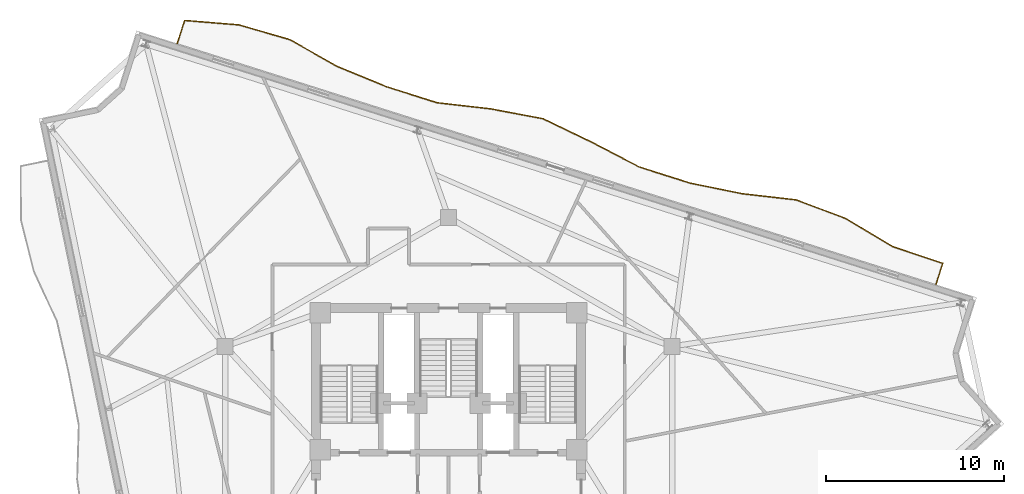
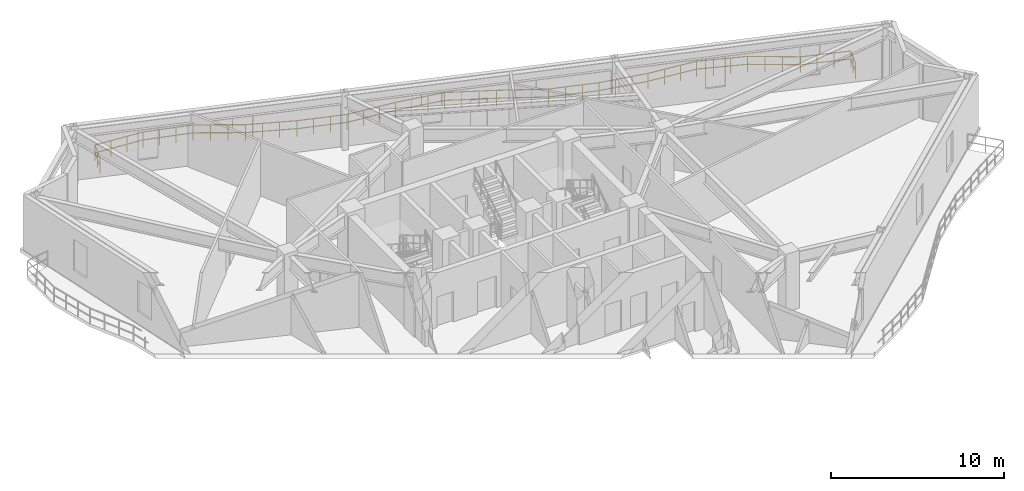
# One storey, part 12 of 12: 1 railing.
"""IFC4 building model written with IfcOpenShell, lengths in metres."""

from ifc_helpers import new_model, si_unit, direction, frame, origin, origin_2d, place, context, subcontext, project, spatial, rectangle, extrude, material, type_object, element, save


model = new_model("IFC4")

# Units and contexts
model_context = context("Model", 3, precision=1e-05, world=origin(), true_north=direction((0.0, 1.0)))
body_context = subcontext(model_context, "Body", "Model", "MODEL_VIEW")
ifc_project = project(units=[si_unit("LENGTHUNIT", "METRE"), si_unit("AREAUNIT", "SQUARE_METRE"), si_unit("VOLUMEUNIT", "CUBIC_METRE"), si_unit("PLANEANGLEUNIT", "RADIAN"), si_unit("MASSUNIT", "GRAM", prefix="KILO")], contexts=[model_context])

# Site, building, storey
site_placement = place(None, origin())
site = spatial("IfcSite", under=ifc_project, at=site_placement, CompositionType="ELEMENT")
building_placement = place(site_placement, origin())
building = spatial("IfcBuilding", under=site, at=building_placement, Name="Apsidion Concourse Tower", CompositionType="ELEMENT")
storey_placement = place(building_placement, frame((0.0, 0.0, 240.39990234375)))
storey = spatial("IfcBuildingStorey", under=building, at=storey_placement, Name="L56", CompositionType="ELEMENT", Elevation=240.39990234375)

# Railing
ifc_material = material(Name="Brushed stainless steel 316", Category="steel")
railing_type = type_object("IfcRailingType", Name="RL-BAL-1120", PredefinedType="BALUSTRADE", material=ifc_material)
railing_placement = place(storey_placement, frame((-15.25, 24.272216796875, 0.0)))
element("IfcRailing", 1, at=railing_placement, inside=storey, type_object=railing_type, Name="L56 Face 3 Rippling Balcony Balustrade", PredefinedType="BALUSTRADE", context=body_context, shape_type="SweptSolid", body=[
    extrude(rectangle(XDim=0.048095703125, YDim=0.048095703125, at=origin_2d()), frame((0.0, 0.0, 1.09619140625), z_axis=(0.302811657656, 0.953050418387, 0.0), x_axis=(-0.953050418387, 0.302811657656, 0.0)), (0.0, 0.0, 1.0), 1.362548828125),
    extrude(rectangle(XDim=0.048095703125, YDim=0.048095703125, at=origin_2d()), frame((0.0, 0.0, 0.5361328125), z_axis=(0.302811657656, 0.953050418387, 0.0), x_axis=(-0.953050418387, 0.302811657656, 0.0)), (0.0, 0.0, 1.0), 1.362548828125),
    extrude(rectangle(XDim=0.048095703125, YDim=0.048095703125, at=origin_2d()), frame((0.41259765625, 1.298583984375, 1.09619140625), z_axis=(0.996731304837, -0.080788031029, 0.0), x_axis=(0.080788031029, 0.996731304837, 0.0)), (0.0, 0.0, 1.0), 3.061279296875),
    extrude(rectangle(XDim=0.048095703125, YDim=0.048095703125, at=origin_2d()), frame((0.41259765625, 1.298583984375, 0.5361328125), z_axis=(0.996731304837, -0.080788031029, 0.0), x_axis=(0.080788031029, 0.996731304837, 0.0)), (0.0, 0.0, 1.0), 3.061279296875),
    extrude(rectangle(XDim=0.048095703125, YDim=0.048095703125, at=origin_2d()), frame((3.4638671875, 1.05126953125, 1.09619140625), z_axis=(0.960507889062, -0.278252753893, 0.0), x_axis=(0.278252753893, 0.960507889062, 0.0)), (0.0, 0.0, 1.0), 2.984130859375),
    extrude(rectangle(XDim=0.048095703125, YDim=0.048095703125, at=origin_2d()), frame((3.4638671875, 1.05126953125, 0.5361328125), z_axis=(0.960507889062, -0.278252753893, 0.0), x_axis=(0.278252753893, 0.960507889062, 0.0)), (0.0, 0.0, 1.0), 2.984130859375),
    extrude(rectangle(XDim=0.048095703125, YDim=0.048095703125, at=origin_2d()), frame((6.330078125, 0.220947265625, 1.09619140625), z_axis=(0.87015383827, -0.492780171825, 0.0), x_axis=(0.492780171825, 0.87015383827, 0.0)), (0.0, 0.0, 1.0), 3.04833984375),
    extrude(rectangle(XDim=0.048095703125, YDim=0.048095703125, at=origin_2d()), frame((6.330078125, 0.220947265625, 0.5361328125), z_axis=(0.87015383827, -0.492780171825, 0.0), x_axis=(0.492780171825, 0.87015383827, 0.0)), (0.0, 0.0, 1.0), 3.04833984375),
    extrude(rectangle(XDim=0.048095703125, YDim=0.048095703125, at=origin_2d()), frame((8.982666015625, -1.28125, 1.09619140625), z_axis=(0.9247236977, -0.380639045437, 0.0), x_axis=(0.380639045437, 0.9247236977, 0.0)), (0.0, 0.0, 1.0), 2.993408203125),
    extrude(rectangle(XDim=0.048095703125, YDim=0.048095703125, at=origin_2d()), frame((8.982666015625, -1.28125, 0.5361328125), z_axis=(0.9247236977, -0.380639045437, 0.0), x_axis=(0.380639045437, 0.9247236977, 0.0)), (0.0, 0.0, 1.0), 2.993408203125),
    extrude(rectangle(XDim=0.048095703125, YDim=0.048095703125, at=origin_2d()), frame((11.750732421875, -2.420654296875, 1.09619140625), z_axis=(0.953072925335, -0.302740811577, 0.0), x_axis=(0.302740811577, 0.953072925335, 0.0)), (0.0, 0.0, 1.0), 2.98291015625),
    extrude(rectangle(XDim=0.048095703125, YDim=0.048095703125, at=origin_2d()), frame((11.750732421875, -2.420654296875, 0.5361328125), z_axis=(0.953072925335, -0.302740811577, 0.0), x_axis=(0.302740811577, 0.953072925335, 0.0)), (0.0, 0.0, 1.0), 2.98291015625),
    extrude(rectangle(XDim=0.048095703125, YDim=0.048095703125, at=origin_2d()), frame((14.59375, -3.32373046875, 1.09619140625), z_axis=(0.993502868052, -0.113807078741, 0.0), x_axis=(0.113807078741, 0.993502868052, 0.0)), (0.0, 0.0, 1.0), 3.039794921875),
    extrude(rectangle(XDim=0.048095703125, YDim=0.048095703125, at=origin_2d()), frame((14.59375, -3.32373046875, 0.5361328125), z_axis=(0.993502868052, -0.113807078741, 0.0), x_axis=(0.113807078741, 0.993502868052, 0.0)), (0.0, 0.0, 1.0), 3.039794921875),
    extrude(rectangle(XDim=0.048095703125, YDim=0.048095703125, at=origin_2d()), frame((17.61376953125, -3.669677734375, 1.09619140625), z_axis=(0.982771793246, -0.184823165217, 0.0), x_axis=(0.184823165217, 0.982771793246, 0.0)), (0.0, 0.0, 1.0), 3.005126953125),
    extrude(rectangle(XDim=0.048095703125, YDim=0.048095703125, at=origin_2d()), frame((17.61376953125, -3.669677734375, 0.5361328125), z_axis=(0.982771793246, -0.184823165217, 0.0), x_axis=(0.184823165217, 0.982771793246, 0.0)), (0.0, 0.0, 1.0), 3.005126953125),
    extrude(rectangle(XDim=0.048095703125, YDim=0.048095703125, at=origin_2d()), frame((20.567138671875, -4.22509765625, 1.09619140625), z_axis=(0.900341546738, -0.435183983181, 0.0), x_axis=(0.435183983181, 0.900341546738, 0.0)), (0.0, 0.0, 1.0), 3.013671875),
    extrude(rectangle(XDim=0.048095703125, YDim=0.048095703125, at=origin_2d()), frame((20.567138671875, -4.22509765625, 0.5361328125), z_axis=(0.900341546738, -0.435183983181, 0.0), x_axis=(0.435183983181, 0.900341546738, 0.0)), (0.0, 0.0, 1.0), 3.013671875),
    extrude(rectangle(XDim=0.048095703125, YDim=0.048095703125, at=origin_2d()), frame((23.280517578125, -5.53662109375, 1.09619140625), z_axis=(0.886886555774, -0.461987269508, 0.0), x_axis=(0.461987269508, 0.886886555774, 0.0)), (0.0, 0.0, 1.0), 3.028076171875),
    extrude(rectangle(XDim=0.048095703125, YDim=0.048095703125, at=origin_2d()), frame((23.280517578125, -5.53662109375, 0.5361328125), z_axis=(0.886886555774, -0.461987269508, 0.0), x_axis=(0.461987269508, 0.886886555774, 0.0)), (0.0, 0.0, 1.0), 3.028076171875),
    extrude(rectangle(XDim=0.048095703125, YDim=0.048095703125, at=origin_2d()), frame((25.966064453125, -6.935546875, 1.09619140625), z_axis=(0.953072925335, -0.302740811577, 0.0), x_axis=(0.302740811577, 0.953072925335, 0.0)), (0.0, 0.0, 1.0), 2.98291015625),
    extrude(rectangle(XDim=0.048095703125, YDim=0.048095703125, at=origin_2d()), frame((25.966064453125, -6.935546875, 0.5361328125), z_axis=(0.953072925335, -0.302740811577, 0.0), x_axis=(0.302740811577, 0.953072925335, 0.0)), (0.0, 0.0, 1.0), 2.98291015625),
    extrude(rectangle(XDim=0.048095703125, YDim=0.048095703125, at=origin_2d()), frame((28.80908203125, -7.838623046875, 1.09619140625), z_axis=(0.979771179918, -0.20012105087, 0.0), x_axis=(0.20012105087, 0.979771179918, 0.0)), (0.0, 0.0, 1.0), 3.0),
    extrude(rectangle(XDim=0.048095703125, YDim=0.048095703125, at=origin_2d()), frame((28.80908203125, -7.838623046875, 0.5361328125), z_axis=(0.979771179918, -0.20012105087, 0.0), x_axis=(0.20012105087, 0.979771179918, 0.0)), (0.0, 0.0, 1.0), 3.0),
    extrude(rectangle(XDim=0.048095703125, YDim=0.048095703125, at=origin_2d()), frame((31.748291015625, -8.43896484375, 1.09619140625), z_axis=(0.993624485999, -0.112740324741, 0.0), x_axis=(0.112740324741, 0.993624485999, 0.0)), (0.0, 0.0, 1.0), 3.040283203125),
    extrude(rectangle(XDim=0.048095703125, YDim=0.048095703125, at=origin_2d()), frame((31.748291015625, -8.43896484375, 0.5361328125), z_axis=(0.993624485999, -0.112740324741, 0.0), x_axis=(0.112740324741, 0.993624485999, 0.0)), (0.0, 0.0, 1.0), 3.040283203125),
    extrude(rectangle(XDim=0.048095703125, YDim=0.048095703125, at=origin_2d()), frame((34.769287109375, -8.78173828125, 1.09619140625), z_axis=(0.936473539664, -0.350738235026, 0.0), x_axis=(0.350738235026, 0.936473539664, 0.0)), (0.0, 0.0, 1.0), 2.98681640625),
    extrude(rectangle(XDim=0.048095703125, YDim=0.048095703125, at=origin_2d()), frame((34.769287109375, -8.78173828125, 0.5361328125), z_axis=(0.936473539664, -0.350738235026, 0.0), x_axis=(0.350738235026, 0.936473539664, 0.0)), (0.0, 0.0, 1.0), 2.98681640625),
    extrude(rectangle(XDim=0.048095703125, YDim=0.048095703125, at=origin_2d()), frame((37.56640625, -9.829345703125, 1.09619140625), z_axis=(0.857682606716, -0.51417948825, 0.0), x_axis=(0.51417948825, 0.857682606716, 0.0)), (0.0, 0.0, 1.0), 3.0654296875),
    extrude(rectangle(XDim=0.048095703125, YDim=0.048095703125, at=origin_2d()), frame((37.56640625, -9.829345703125, 0.5361328125), z_axis=(0.857682606716, -0.51417948825, 0.0), x_axis=(0.51417948825, 0.857682606716, 0.0)), (0.0, 0.0, 1.0), 3.0654296875),
    extrude(rectangle(XDim=0.048095703125, YDim=0.048095703125, at=origin_2d()), frame((40.195556640625, -11.405517578125, 1.09619140625), z_axis=(0.948174725441, -0.317749413902, 0.0), x_axis=(0.317749413902, 0.948174725441, 0.0)), (0.0, 0.0, 1.0), 2.9833984375),
    extrude(rectangle(XDim=0.048095703125, YDim=0.048095703125, at=origin_2d()), frame((40.195556640625, -11.405517578125, 0.5361328125), z_axis=(0.948174725441, -0.317749413902, 0.0), x_axis=(0.317749413902, 0.948174725441, 0.0)), (0.0, 0.0, 1.0), 2.9833984375),
    extrude(rectangle(XDim=0.048095703125, YDim=0.048095703125, at=origin_2d()), frame((43.0244140625, -12.353515625, 1.09619140625), z_axis=(-0.302719940533, -0.953079554709, 0.0), x_axis=(0.953079554709, -0.302719940533, 0.0)), (0.0, 0.0, 1.0), 1.25),
    extrude(rectangle(XDim=0.048095703125, YDim=0.048095703125, at=origin_2d()), frame((43.0244140625, -12.353515625, 0.5361328125), z_axis=(-0.302719940533, -0.953079554709, 0.0), x_axis=(0.953079554709, -0.302719940533, 0.0)), (0.0, 0.0, 1.0), 1.25),
    extrude(rectangle(XDim=0.0419921875, YDim=0.0419921875, at=origin_2d()), origin(), (0.0, 0.0, 1.0), 1.072021484375),
    extrude(rectangle(XDim=0.0419921875, YDim=0.0419921875, at=origin_2d()), frame((0.206298828125, 0.6494140625, 0.0)), (0.0, 0.0, 1.0), 1.072021484375),
    extrude(rectangle(XDim=0.0419921875, YDim=0.0419921875, at=origin_2d()), frame((0.41259765625, 1.298583984375, 0.0)), (0.0, 0.0, 1.0), 1.072021484375),
    extrude(rectangle(XDim=0.0419921875, YDim=0.0419921875, at=origin_2d()), frame((1.4296875, 1.216064453125, 0.0)), (0.0, 0.0, 1.0), 1.072021484375),
    extrude(rectangle(XDim=0.0419921875, YDim=0.0419921875, at=origin_2d()), frame((2.44677734375, 1.1337890625, 0.0)), (0.0, 0.0, 1.0), 1.072021484375),
    extrude(rectangle(XDim=0.0419921875, YDim=0.0419921875, at=origin_2d()), frame((3.4638671875, 1.05126953125, 0.0)), (0.0, 0.0, 1.0), 1.072021484375),
    extrude(rectangle(XDim=0.0419921875, YDim=0.0419921875, at=origin_2d()), frame((4.419189453125, 0.7744140625, 0.0)), (0.0, 0.0, 1.0), 1.072021484375),
    extrude(rectangle(XDim=0.0419921875, YDim=0.0419921875, at=origin_2d()), frame((5.374755859375, 0.497802734375, 0.0)), (0.0, 0.0, 1.0), 1.072021484375),
    extrude(rectangle(XDim=0.0419921875, YDim=0.0419921875, at=origin_2d()), frame((6.330078125, 0.220947265625, 0.0)), (0.0, 0.0, 1.0), 1.072021484375),
    extrude(rectangle(XDim=0.0419921875, YDim=0.0419921875, at=origin_2d()), frame((7.21435546875, -0.27978515625, 0.0)), (0.0, 0.0, 1.0), 1.072021484375),
    extrude(rectangle(XDim=0.0419921875, YDim=0.0419921875, at=origin_2d()), frame((8.098388671875, -0.780517578125, 0.0)), (0.0, 0.0, 1.0), 1.072021484375),
    extrude(rectangle(XDim=0.0419921875, YDim=0.0419921875, at=origin_2d()), frame((8.982666015625, -1.28125, 0.0)), (0.0, 0.0, 1.0), 1.072021484375),
    extrude(rectangle(XDim=0.0419921875, YDim=0.0419921875, at=origin_2d()), frame((9.9052734375, -1.6611328125, 0.0)), (0.0, 0.0, 1.0), 1.072021484375),
    extrude(rectangle(XDim=0.0419921875, YDim=0.0419921875, at=origin_2d()), frame((10.828125, -2.040771484375, 0.0)), (0.0, 0.0, 1.0), 1.072021484375),
    extrude(rectangle(XDim=0.0419921875, YDim=0.0419921875, at=origin_2d()), frame((11.750732421875, -2.420654296875, 0.0)), (0.0, 0.0, 1.0), 1.072021484375),
    extrude(rectangle(XDim=0.0419921875, YDim=0.0419921875, at=origin_2d()), frame((12.698486328125, -2.7216796875, 0.0)), (0.0, 0.0, 1.0), 1.072021484375),
    extrude(rectangle(XDim=0.0419921875, YDim=0.0419921875, at=origin_2d()), frame((13.64599609375, -3.022705078125, 0.0)), (0.0, 0.0, 1.0), 1.072021484375),
    extrude(rectangle(XDim=0.0419921875, YDim=0.0419921875, at=origin_2d()), frame((14.59375, -3.32373046875, 0.0)), (0.0, 0.0, 1.0), 1.072021484375),
    extrude(rectangle(XDim=0.0419921875, YDim=0.0419921875, at=origin_2d()), frame((15.600341796875, -3.43896484375, 0.0)), (0.0, 0.0, 1.0), 1.072021484375),
    extrude(rectangle(XDim=0.0419921875, YDim=0.0419921875, at=origin_2d()), frame((16.607177734375, -3.554443359375, 0.0)), (0.0, 0.0, 1.0), 1.072021484375),
    extrude(rectangle(XDim=0.0419921875, YDim=0.0419921875, at=origin_2d()), frame((17.61376953125, -3.669677734375, 0.0)), (0.0, 0.0, 1.0), 1.072021484375),
    extrude(rectangle(XDim=0.0419921875, YDim=0.0419921875, at=origin_2d()), frame((18.59814453125, -3.854736328125, 0.0)), (0.0, 0.0, 1.0), 1.072021484375),
    extrude(rectangle(XDim=0.0419921875, YDim=0.0419921875, at=origin_2d()), frame((19.582763671875, -4.0400390625, 0.0)), (0.0, 0.0, 1.0), 1.072021484375),
    extrude(rectangle(XDim=0.0419921875, YDim=0.0419921875, at=origin_2d()), frame((20.567138671875, -4.22509765625, 0.0)), (0.0, 0.0, 1.0), 1.072021484375),
    extrude(rectangle(XDim=0.0419921875, YDim=0.0419921875, at=origin_2d()), frame((21.4716796875, -4.662353515625, 0.0)), (0.0, 0.0, 1.0), 1.072021484375),
    extrude(rectangle(XDim=0.0419921875, YDim=0.0419921875, at=origin_2d()), frame((22.3759765625, -5.099365234375, 0.0)), (0.0, 0.0, 1.0), 1.072021484375),
    extrude(rectangle(XDim=0.0419921875, YDim=0.0419921875, at=origin_2d()), frame((23.280517578125, -5.53662109375, 0.0)), (0.0, 0.0, 1.0), 1.072021484375),
    extrude(rectangle(XDim=0.0419921875, YDim=0.0419921875, at=origin_2d()), frame((24.17578125, -6.0029296875, 0.0)), (0.0, 0.0, 1.0), 1.072021484375),
    extrude(rectangle(XDim=0.0419921875, YDim=0.0419921875, at=origin_2d()), frame((25.07080078125, -6.46923828125, 0.0)), (0.0, 0.0, 1.0), 1.072021484375),
    extrude(rectangle(XDim=0.0419921875, YDim=0.0419921875, at=origin_2d()), frame((25.966064453125, -6.935546875, 0.0)), (0.0, 0.0, 1.0), 1.072021484375),
    extrude(rectangle(XDim=0.0419921875, YDim=0.0419921875, at=origin_2d()), frame((26.913818359375, -7.236572265625, 0.0)), (0.0, 0.0, 1.0), 1.072021484375),
    extrude(rectangle(XDim=0.0419921875, YDim=0.0419921875, at=origin_2d()), frame((27.861328125, -7.53759765625, 0.0)), (0.0, 0.0, 1.0), 1.072021484375),
    extrude(rectangle(XDim=0.0419921875, YDim=0.0419921875, at=origin_2d()), frame((28.80908203125, -7.838623046875, 0.0)), (0.0, 0.0, 1.0), 1.072021484375),
    extrude(rectangle(XDim=0.0419921875, YDim=0.0419921875, at=origin_2d()), frame((29.788818359375, -8.038818359375, 0.0)), (0.0, 0.0, 1.0), 1.072021484375),
    extrude(rectangle(XDim=0.0419921875, YDim=0.0419921875, at=origin_2d()), frame((30.7685546875, -8.23876953125, 0.0)), (0.0, 0.0, 1.0), 1.072021484375),
    extrude(rectangle(XDim=0.0419921875, YDim=0.0419921875, at=origin_2d()), frame((31.748291015625, -8.43896484375, 0.0)), (0.0, 0.0, 1.0), 1.072021484375),
    extrude(rectangle(XDim=0.0419921875, YDim=0.0419921875, at=origin_2d()), frame((32.75537109375, -8.55322265625, 0.0)), (0.0, 0.0, 1.0), 1.072021484375),
    extrude(rectangle(XDim=0.0419921875, YDim=0.0419921875, at=origin_2d()), frame((33.76220703125, -8.66748046875, 0.0)), (0.0, 0.0, 1.0), 1.072021484375),
    extrude(rectangle(XDim=0.0419921875, YDim=0.0419921875, at=origin_2d()), frame((34.769287109375, -8.78173828125, 0.0)), (0.0, 0.0, 1.0), 1.072021484375),
    extrude(rectangle(XDim=0.0419921875, YDim=0.0419921875, at=origin_2d()), frame((35.70166015625, -9.130859375, 0.0)), (0.0, 0.0, 1.0), 1.072021484375),
    extrude(rectangle(XDim=0.0419921875, YDim=0.0419921875, at=origin_2d()), frame((36.634033203125, -9.480224609375, 0.0)), (0.0, 0.0, 1.0), 1.072021484375),
    extrude(rectangle(XDim=0.0419921875, YDim=0.0419921875, at=origin_2d()), frame((37.56640625, -9.829345703125, 0.0)), (0.0, 0.0, 1.0), 1.072021484375),
    extrude(rectangle(XDim=0.0419921875, YDim=0.0419921875, at=origin_2d()), frame((38.44287109375, -10.354736328125, 0.0)), (0.0, 0.0, 1.0), 1.072021484375),
    extrude(rectangle(XDim=0.0419921875, YDim=0.0419921875, at=origin_2d()), frame((39.319091796875, -10.880126953125, 0.0)), (0.0, 0.0, 1.0), 1.072021484375),
    extrude(rectangle(XDim=0.0419921875, YDim=0.0419921875, at=origin_2d()), frame((40.195556640625, -11.405517578125, 0.0)), (0.0, 0.0, 1.0), 1.072021484375),
    extrude(rectangle(XDim=0.0419921875, YDim=0.0419921875, at=origin_2d()), frame((41.138427734375, -11.721435546875, 0.0)), (0.0, 0.0, 1.0), 1.072021484375),
    extrude(rectangle(XDim=0.0419921875, YDim=0.0419921875, at=origin_2d()), frame((42.08154296875, -12.03759765625, 0.0)), (0.0, 0.0, 1.0), 1.072021484375),
    extrude(rectangle(XDim=0.0419921875, YDim=0.0419921875, at=origin_2d()), frame((43.0244140625, -12.353515625, 0.0)), (0.0, 0.0, 1.0), 1.072021484375),
    extrude(rectangle(XDim=0.0419921875, YDim=0.0419921875, at=origin_2d()), frame((42.835205078125, -12.94921875, 0.0)), (0.0, 0.0, 1.0), 1.072021484375),
    extrude(rectangle(XDim=0.0419921875, YDim=0.0419921875, at=origin_2d()), frame((42.64599609375, -13.544921875, 0.0)), (0.0, 0.0, 1.0), 1.072021484375),
])

save(model, "model.ifc")
